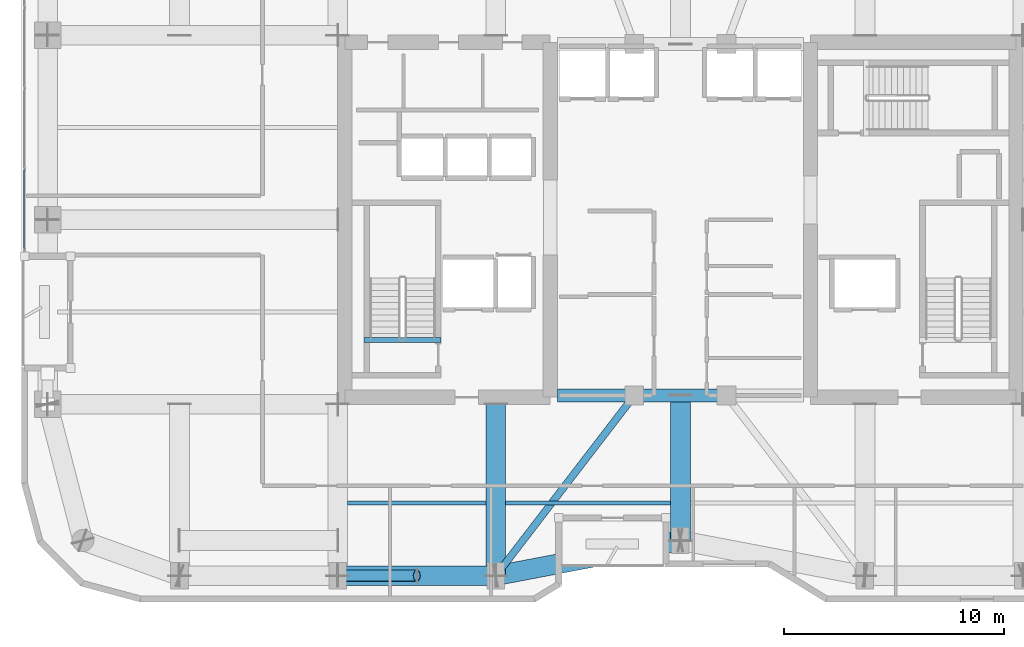
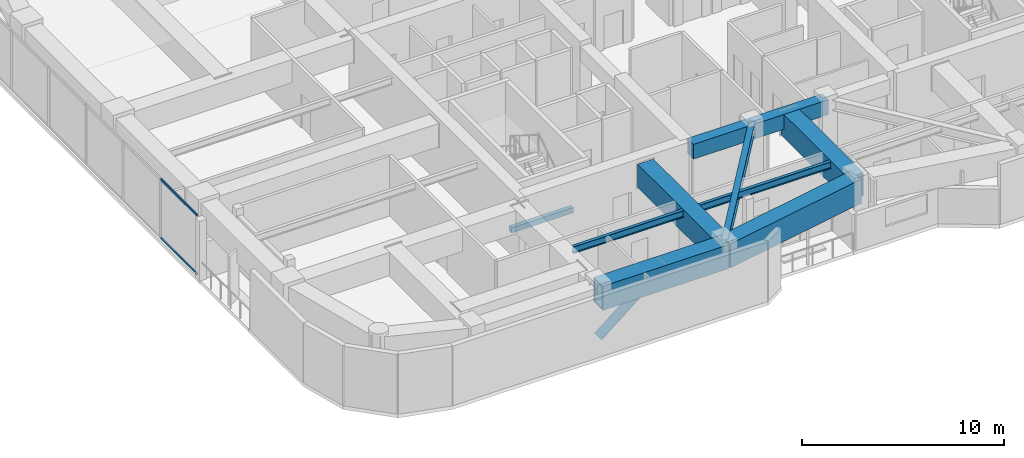
# One storey, part 3 of 30: 10 beams, 3 members, 1 element without a shape of its own.
"""IFC4 building model written with IfcOpenShell, lengths in metres."""

from ifc_helpers import new_model, si_unit, direction, frame, origin, origin_2d, place, context, subcontext, project, spatial, rectangle, hollow_rectangle, hollow_circle, i_section, extrude, material, layer, layer_set, material_profile, profile_set, type_object, element, aggregate, save


model = new_model("IFC4")

# Units and contexts
model_context = context("Model", 3, precision=1e-05, world=origin(), true_north=direction((0.0, 1.0)))
body_context = subcontext(model_context, "Body", "Model", "MODEL_VIEW")
ifc_project = project(units=[si_unit("LENGTHUNIT", "METRE"), si_unit("AREAUNIT", "SQUARE_METRE"), si_unit("VOLUMEUNIT", "CUBIC_METRE"), si_unit("PLANEANGLEUNIT", "RADIAN"), si_unit("MASSUNIT", "GRAM", prefix="KILO")], contexts=[model_context])

# Site, building, storey
site_placement = place(None, origin())
site = spatial("IfcSite", under=ifc_project, at=site_placement, CompositionType="ELEMENT")
building_placement = place(site_placement, origin())
building = spatial("IfcBuilding", under=site, at=building_placement, Name="Kiyonajd Concourse Tower", CompositionType="ELEMENT")
storey_placement = place(building_placement, frame((0.0, 0.0, 205.800048828125)))
storey = spatial("IfcBuildingStorey", under=building, at=storey_placement, Name="L52", CompositionType="ELEMENT", Elevation=205.800048828125)

# Beams
ifc_material_1 = material(Name="Concrete C60/75", Category="concrete")
ifc_material_profile_1 = material_profile(ifc_material_1, rectangle(XDim=0.60009765625, YDim=0.89990234375, at=origin_2d()), Name="RCBM-600x900")
ifc_profile_set_1 = profile_set([ifc_material_profile_1], Name="Concrete C60/75")
beam_type_1 = type_object("IfcBeamType", Name="BM-COUP-900", PredefinedType="LINTEL", material=ifc_profile_set_1)
beam_1_placement = place(storey_placement, frame((42.39990234375, 28.0, 3.14990234375), z_axis=(1.0, 0.0, 0.0), x_axis=(0.0, 1.0, 0.0)))
element("IfcBeam", 1, at=beam_1_placement, inside=storey, type_object=beam_type_1, Name="L52 Core Coupling Beam S1", PredefinedType="LINTEL", context=body_context, shape_type="SweptSolid", body=[
    extrude(rectangle(XDim=0.60009765625, YDim=0.89990234375, at=origin_2d()), origin(), (0.0, 0.0, 1.0), 3.5),
])
beam_2_placement = place(storey_placement, frame((45.89990234375, 28.0, 3.14990234375), z_axis=(1.0, 0.0, 0.0), x_axis=(0.0, 1.0, 0.0)))
element("IfcBeam", 2, at=beam_2_placement, inside=storey, type_object=beam_type_1, Name="L52 Core Coupling Beam S2", PredefinedType="LINTEL", context=body_context, shape_type="SweptSolid", body=[
    extrude(rectangle(XDim=0.60009765625, YDim=0.89990234375, at=origin_2d()), origin(), (0.0, 0.0, 1.0), 4.2001953125),
])
ifc_material_2 = material(Name="Steel ASTM A992 Grade 50", Category="steel")
ifc_material_profile_2 = material_profile(ifc_material_2, i_section(OverallWidth=0.180908203125, OverallDepth=0.4169921875, WebThickness=0.010986328125, FlangeThickness=0.018310546875, at=origin_2d()), Name="W410X85")
ifc_profile_set_2 = profile_set([ifc_material_profile_2], Name="Steel ASTM A992 Grade 50")
beam_type_2 = type_object("IfcBeamType", Name="BM-JST-410", PredefinedType="JOIST", material=ifc_profile_set_2)
beam_3_placement = place(storey_placement, frame((32.85009765625, 23.10009765625, 3.391357421875), z_axis=(1.0, 0.0, 0.0), x_axis=(0.0, 1.0, 0.0)))
element("IfcBeam", 3, at=beam_3_placement, inside=storey, type_object=beam_type_2, Name="L52 Secondary Floor Joist", PredefinedType="JOIST", context=body_context, shape_type="SweptSolid", body=[
    extrude(i_section(OverallWidth=0.180908203125, OverallDepth=0.4169921875, WebThickness=0.010986328125, FlangeThickness=0.018310546875, at=origin_2d()), origin(), (0.0, 0.0, 1.0), 6.2998046875),
])
beam_4_placement = place(storey_placement, frame((40.050048828125, 23.10009765625, 3.391357421875), z_axis=(1.0, 0.0, 0.0), x_axis=(0.0, 1.0, 0.0)))
element("IfcBeam", 4, at=beam_4_placement, inside=storey, type_object=beam_type_2, Name="L52 Secondary Floor Joist", PredefinedType="JOIST", context=body_context, shape_type="SweptSolid", body=[
    extrude(i_section(OverallWidth=0.180908203125, OverallDepth=0.4169921875, WebThickness=0.010986328125, FlangeThickness=0.018310546875, at=origin_2d()), origin(), (0.0, 0.0, 1.0), 7.5),
])
ifc_material_3 = material(Name="Concrete C50/60", Category="concrete")
ifc_material_profile_3 = material_profile(ifc_material_3, rectangle(XDim=0.239990234375, YDim=0.320068359375, at=origin_2d()), Name="RCBM-240x320")
ifc_profile_set_3 = profile_set([ifc_material_profile_3], Name="Concrete C50/60")
beam_type_3 = type_object("IfcBeamType", Name="BM-LNT-250", PredefinedType="LINTEL", material=ifc_profile_set_3)
beam_5_placement = place(storey_placement, frame((33.590087890625, 30.530029296875, -0.16015625), z_axis=(1.0, 0.0, 0.0), x_axis=(0.0, 1.0, 0.0)))
element("IfcBeam", 5, at=beam_5_placement, inside=storey, type_object=beam_type_3, Name="L52 Stair ST1 Threshold Support Beam", PredefinedType="LINTEL", context=body_context, shape_type="SweptSolid", body=[
    extrude(rectangle(XDim=0.239990234375, YDim=0.320068359375, at=origin_2d()), origin(), (0.0, 0.0, 1.0), 3.52001953125),
])
ifc_material_profile_4 = material_profile(ifc_material_2, i_section(OverallWidth=0.326904296875, OverallDepth=0.6220703125, WebThickness=0.015380859375, FlangeThickness=0.0244140625, at=origin_2d()), Name="W610X195")
ifc_profile_set_4 = profile_set([ifc_material_profile_4], Name="Steel ASTM A992 Grade 50")
beam_type_4 = type_object("IfcBeamType", Name="BM-TWR-610A", PredefinedType="BEAM", material=ifc_profile_set_4)
beam_6_placement = place(storey_placement, frame((39.60009765625, 19.800048828125, 3.2890625), z_axis=(0.609233709922, 0.792990722956, 0.0), x_axis=(-0.792990722956, 0.609233709922, 0.0)))
element("IfcBeam", 6, at=beam_6_placement, inside=storey, type_object=beam_type_4, Name="L52 Core Tie Girder", PredefinedType="BEAM", context=body_context, shape_type="SweptSolid", body=[
    extrude(i_section(OverallWidth=0.326904296875, OverallDepth=0.6220703125, WebThickness=0.015380859375, FlangeThickness=0.0244140625, at=origin_2d()), origin(), (0.0, 0.0, 1.0), 10.340576171875),
])
ifc_material_4 = material(Name="Steel ASTM A572 Grade 50", Category="steel")
ifc_material_profile_5 = material_profile(ifc_material_4, hollow_rectangle(XDim=0.89990234375, YDim=1.39990234375, WallThickness=0.070068359375, at=origin_2d()), Name="BOX-1400x900x70")
ifc_profile_set_5 = profile_set([ifc_material_profile_5], Name="Steel ASTM A572 Grade 50")
beam_type_5 = type_object("IfcBeamType", Name="BM-XFER-1400", PredefinedType="BEAM", material=ifc_profile_set_5)
beam_7_placement = place(storey_placement, frame((39.60009765625, 19.800048828125, 2.89990234375), z_axis=(0.0, 1.0, 0.0), x_axis=(-1.0, 0.0, 0.0)))
element("IfcBeam", 7, at=beam_7_placement, inside=storey, type_object=beam_type_5, Name="L52 South Lease Girder", PredefinedType="BEAM", context=body_context, shape_type="SweptSolid", body=[
    extrude(hollow_rectangle(XDim=0.89990234375, YDim=1.39990234375, WallThickness=0.070068359375, at=origin_2d()), origin(), (0.0, 0.0, 1.0), 7.800048828125),
])
beam_8_placement = place(storey_placement, frame((48.0, 21.39990234375, 2.89990234375), z_axis=(0.0, 1.0, 0.0), x_axis=(-1.0, 0.0, 0.0)))
element("IfcBeam", 8, at=beam_8_placement, inside=storey, type_object=beam_type_5, Name="L52 South Ribbon Girder", PredefinedType="BEAM", context=body_context, shape_type="SweptSolid", body=[
    extrude(hollow_rectangle(XDim=0.89990234375, YDim=1.39990234375, WallThickness=0.070068359375, at=origin_2d()), origin(), (0.0, 0.0, 1.0), 6.60009765625),
])
ifc_material_profile_6 = material_profile(ifc_material_4, hollow_rectangle(XDim=0.89990234375, YDim=1.449951171875, WallThickness=0.074951171875, at=origin_2d()), Name="BOX-1450x900x75")
ifc_profile_set_6 = profile_set([ifc_material_profile_6], Name="Steel ASTM A572 Grade 50")
beam_type_6 = type_object("IfcBeamType", Name="BM-XFER-1800", PredefinedType="BEAM", material=ifc_profile_set_6)
beam_9_placement = place(storey_placement, frame((32.39990234375, 19.800048828125, 2.875), z_axis=(1.0, 0.0, 0.0), x_axis=(0.0, 1.0, 0.0)))
element("IfcBeam", 9, at=beam_9_placement, inside=storey, type_object=beam_type_6, Name="L52 Perimeter Bundled Tube Spandrel", PredefinedType="BEAM", context=body_context, shape_type="SweptSolid", body=[
    extrude(hollow_rectangle(XDim=0.89990234375, YDim=1.449951171875, WallThickness=0.074951171875, at=origin_2d()), origin(), (0.0, 0.0, 1.0), 7.2001953125),
])
beam_10_placement = place(storey_placement, frame((39.60009765625, 19.800048828125, 2.875), z_axis=(0.982341315253, 0.187097675953, 0.0), x_axis=(-0.187097675953, 0.982341315253, 0.0)))
element("IfcBeam", 10, at=beam_10_placement, inside=storey, type_object=beam_type_6, Name="L52 Perimeter Bundled Tube Spandrel", PredefinedType="BEAM", context=body_context, shape_type="SweptSolid", body=[
    extrude(hollow_rectangle(XDim=0.89990234375, YDim=1.449951171875, WallThickness=0.074951171875, at=origin_2d()), origin(), (0.0, 0.0, 1.0), 8.55078125),
])

# Curtain wall, members
ifc_material_5 = material(Name="Thermally Broken Anodised Aluminium", Category="aluminium")
ifc_layer = layer(ifc_material_5, 0.179931640625)
ifc_layer_set = layer_set([ifc_layer], Name="Thermally Broken Anodised Aluminium")
curtain_wall_type = type_object("IfcCurtainWallType", Name="CW-SYS-03", PredefinedType="NOTDEFINED", material=ifc_layer_set)
curtain_wall_placement = place(storey_placement, origin())
curtain_wall = element("IfcCurtainWall", 11, at=curtain_wall_placement, inside=storey, type_object=curtain_wall_type, Name="L52 Unitised Curtain Wall CW3", PredefinedType="NOTDEFINED")
ifc_material_profile_7 = material_profile(ifc_material_5, hollow_rectangle(XDim=0.06494140625, YDim=0.139892578125, WallThickness=0.00390625, at=origin_2d()), Name="TRAN-65x140")
ifc_profile_set_7 = profile_set([ifc_material_profile_7], Name="Thermally Broken Anodised Aluminium")
member_type_1 = type_object("IfcMemberType", Name="MB-CW-TRAN1", PredefinedType="USERDEFINED", material=ifc_profile_set_7)
member_1_placement = place(storey_placement, frame((18.139892578125, 34.695068359375, 0.032470703125), z_axis=(0.0, 1.0, 0.0), x_axis=(-1.0, 0.0, 0.0)))
member_1 = element("IfcMember", 12, at=member_1_placement, type_object=member_type_1, Name="CW3 transom 1.1", ObjectType="TRANSOM", PredefinedType="USERDEFINED", context=body_context, shape_type="SweptSolid", body=[
    extrude(hollow_rectangle(XDim=0.06494140625, YDim=0.139892578125, WallThickness=0.00390625, at=origin_2d()), origin(), (0.0, 0.0, 1.0), 3.579345703125),
])
member_2_placement = place(storey_placement, frame((18.139892578125, 34.695068359375, 3.5673828125), z_axis=(0.0, 1.0, 0.0), x_axis=(-1.0, 0.0, 0.0)))
member_2 = element("IfcMember", 13, at=member_2_placement, type_object=member_type_1, Name="CW3 transom 1.2", ObjectType="TRANSOM", PredefinedType="USERDEFINED", context=body_context, shape_type="SweptSolid", body=[
    extrude(hollow_rectangle(XDim=0.06494140625, YDim=0.139892578125, WallThickness=0.00390625, at=origin_2d()), origin(), (0.0, 0.0, 1.0), 3.579345703125),
])
aggregate(curtain_wall, [member_1, member_2])

# Member
ifc_material_6 = material(Name="Steel ASTM A500 Grade C", Category="steel")
ifc_material_profile_8 = material_profile(ifc_material_6, hollow_circle(Radius=0.25390625, WallThickness=0.02197265625, at=origin_2d()), Name="CHS-508x22")
ifc_profile_set_8 = profile_set([ifc_material_profile_8], Name="Steel ASTM A500 Grade C")
member_type_2 = type_object("IfcMemberType", Name="MB-PB-MID", PredefinedType="BRACE", material=ifc_profile_set_8)
member_3_placement = place(storey_placement, frame((32.39990234375, 19.800048828125, 0.300048828125), z_axis=(0.773492012438, 0.0, 0.633806048168), x_axis=(0.0, 1.0, 0.0)))
element("IfcMember", 14, at=member_3_placement, inside=storey, type_object=member_type_2, Name="L52 Upper Zone Hollow Tube Brace PBS", PredefinedType="BRACE", context=body_context, shape_type="SweptSolid", body=[
    extrude(hollow_circle(Radius=0.25390625, WallThickness=0.02197265625, at=origin_2d()), origin(), (0.0, 0.0, 1.0), 4.654296875),
])

save(model, "model.ifc")
